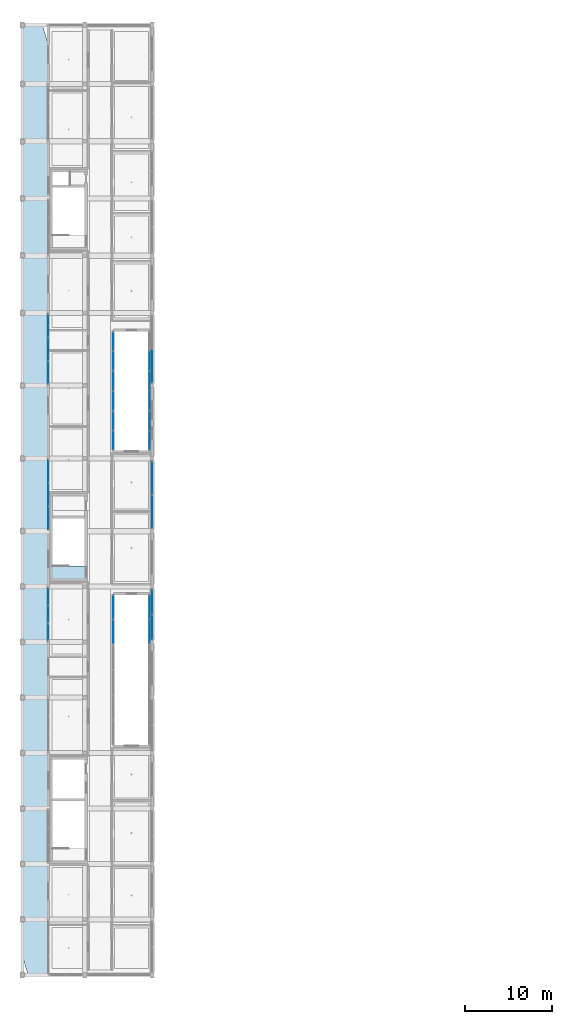
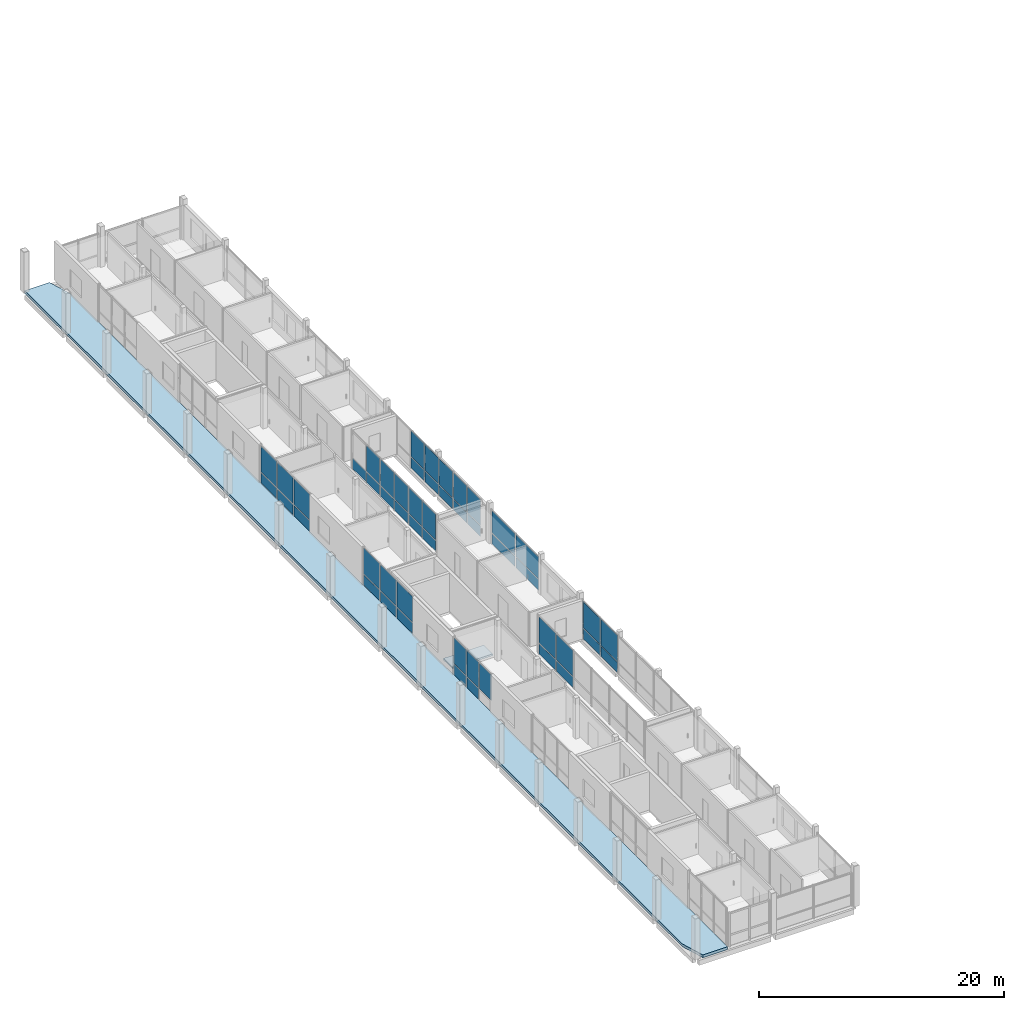
# One storey, part 8 of 24: 56 plates, 2 slabs, 14 elements without a shape of their own.
"""IFC4 building model written with IfcOpenShell, lengths in metres."""

from ifc_helpers import new_model, si_unit, derived_unit, direction, frame, origin, origin_2d, place, context, subcontext, project, spatial, polyline, rectangle, outline, extrude, material, layer, layer_set, type_object, element, aggregate, save


model = new_model("IFC4")

# Units and contexts
model_context = context("Model", 3, precision=1e-05, world=origin(), true_north=direction((0.0, 1.0)))
body_context = subcontext(model_context, "Body", "Model", "MODEL_VIEW")
ifc_project = project(units=[si_unit("LENGTHUNIT", "METRE"), si_unit("AREAUNIT", "SQUARE_METRE"), si_unit("VOLUMEUNIT", "CUBIC_METRE"), si_unit("PLANEANGLEUNIT", "RADIAN"), si_unit("MASSUNIT", "GRAM", prefix="KILO"), derived_unit("THERMALTRANSMITTANCEUNIT", [(si_unit("POWERUNIT", "WATT"), 1), (si_unit("LENGTHUNIT", "METRE"), -2), (si_unit("THERMODYNAMICTEMPERATUREUNIT", "KELVIN"), -1)])], contexts=[model_context])

# Site, building, storey
site_placement = place(None, origin())
site = spatial("IfcSite", under=ifc_project, at=site_placement, CompositionType="ELEMENT")
building_placement = place(site_placement, origin())
building = spatial("IfcBuilding", under=site, at=building_placement, Name="Braskholm Square Health Centre", CompositionType="ELEMENT")
storey_placement = place(building_placement, frame((0.0, 0.0, 21.60009765625)))
storey = spatial("IfcBuildingStorey", under=building, at=storey_placement, Name="L06", CompositionType="ELEMENT", Elevation=21.60009765625)

# Curtain wall, plates
ifc_material_1 = material(Name="Low-E triple insulating glass (VLT 0.64)", Category="glass")
curtain_wall_type_1 = type_object("IfcCurtainWallType", Name="UnitisedCurtainWall6200x3800", PredefinedType="NOTDEFINED", material=ifc_material_1)
curtain_wall_1_placement = place(storey_placement, origin())
curtain_wall_1 = element("IfcCurtainWall", 1, at=curtain_wall_1_placement, inside=storey, type_object=curtain_wall_type_1, Name="West Crown unitised curtain wall CW-L06-0041", PredefinedType="NOTDEFINED")
ifc_material_2 = material(Name="Architectural bronze anodised aluminium", Category="aluminium")
plate_type_1 = type_object("IfcPlateType", Name="CurtainPanelSpandrel1850x1020", PredefinedType="CURTAIN_PANEL", material=ifc_material_2)
plate_1_placement = place(storey_placement, frame((7.199951171875, 47.853271484375, 0.0498046875), z_axis=(0.0, 0.0, 1.0), x_axis=(0.0, -1.0, 0.0)))
plate_1 = element("IfcPlate", 2, at=plate_1_placement, type_object=plate_type_1, Name="CW-L06-0041 spandrel panel 1", PredefinedType="CURTAIN_PANEL", context=body_context, shape_type="SweptSolid", body=[
    extrude(rectangle(XDim=1.93017578125, YDim=0.035888671875, at=origin_2d()), origin(), (0.0, 0.0, 1.0), 1.02001953125),
])
plate_2_placement = place(storey_placement, frame((7.199951171875, 45.800048828125, 0.0498046875), z_axis=(0.0, 0.0, 1.0), x_axis=(0.0, -1.0, 0.0)))
plate_2 = element("IfcPlate", 3, at=plate_2_placement, type_object=plate_type_1, Name="CW-L06-0041 spandrel panel 2", PredefinedType="CURTAIN_PANEL", context=body_context, shape_type="SweptSolid", body=[
    extrude(rectangle(XDim=1.93017578125, YDim=0.035888671875, at=origin_2d()), origin(), (0.0, 0.0, 1.0), 1.02001953125),
])

curtain_wall_type_2 = type_object("IfcCurtainWallType", Name="UnitisedCurtainWall4800x3800", PredefinedType="NOTDEFINED", material=ifc_material_1)
curtain_wall_2_placement = place(storey_placement, origin())
curtain_wall_2 = element("IfcCurtainWall", 4, at=curtain_wall_2_placement, inside=storey, type_object=curtain_wall_type_2, Name="WC2 Court W unitised curtain wall CW-L06-0315", PredefinedType="NOTDEFINED")
plate_type_2 = type_object("IfcPlateType", Name="CurtainPanelSpandrel2150x1020", PredefinedType="CURTAIN_PANEL", material=ifc_material_2)
plate_3_placement = place(storey_placement, frame((14.699951171875, 65.884033203125, 0.0498046875), z_axis=(0.0, 0.0, 1.0), x_axis=(0.0, 1.0, 0.0)))
plate_3 = element("IfcPlate", 5, at=plate_3_placement, type_object=plate_type_2, Name="CW-L06-0315 spandrel panel 1", PredefinedType="CURTAIN_PANEL", context=body_context, shape_type="SweptSolid", body=[
    extrude(rectangle(XDim=2.125244140625, YDim=0.035888671875, at=origin_2d()), origin(), (0.0, 0.0, 1.0), 1.02001953125),
])
plate_4_placement = place(storey_placement, frame((14.699951171875, 68.117919921875, 0.0498046875), z_axis=(0.0, 0.0, 1.0), x_axis=(0.0, 1.0, 0.0)))
plate_4 = element("IfcPlate", 6, at=plate_4_placement, type_object=plate_type_2, Name="CW-L06-0315 spandrel panel 2", PredefinedType="CURTAIN_PANEL", context=body_context, shape_type="SweptSolid", body=[
    extrude(rectangle(XDim=2.125244140625, YDim=0.035888671875, at=origin_2d()), origin(), (0.0, 0.0, 1.0), 1.02001953125),
])

curtain_wall_3_placement = place(storey_placement, origin())
curtain_wall_3 = element("IfcCurtainWall", 7, at=curtain_wall_3_placement, inside=storey, type_object=curtain_wall_type_2, Name="WC2 Court E unitised curtain wall CW-L06-0316", PredefinedType="NOTDEFINED")
plate_5_placement = place(storey_placement, frame((18.89990234375, 68.117919921875, 0.0498046875), z_axis=(0.0, 0.0, 1.0), x_axis=(0.0, -1.0, 0.0)))
plate_5 = element("IfcPlate", 8, at=plate_5_placement, type_object=plate_type_2, Name="CW-L06-0316 spandrel panel 1", PredefinedType="CURTAIN_PANEL", context=body_context, shape_type="SweptSolid", body=[
    extrude(rectangle(XDim=2.125244140625, YDim=0.035888671875, at=origin_2d()), origin(), (0.0, 0.0, 1.0), 1.02001953125),
])
plate_6_placement = place(storey_placement, frame((18.89990234375, 65.884033203125, 0.0498046875), z_axis=(0.0, 0.0, 1.0), x_axis=(0.0, -1.0, 0.0)))
plate_6 = element("IfcPlate", 9, at=plate_6_placement, type_object=plate_type_2, Name="CW-L06-0316 spandrel panel 2", PredefinedType="CURTAIN_PANEL", context=body_context, shape_type="SweptSolid", body=[
    extrude(rectangle(XDim=2.125244140625, YDim=0.035888671875, at=origin_2d()), origin(), (0.0, 0.0, 1.0), 1.02001953125),
])

curtain_wall_4_placement = place(storey_placement, origin())
curtain_wall_4 = element("IfcCurtainWall", 10, at=curtain_wall_4_placement, inside=storey, type_object=curtain_wall_type_2, Name="WC2 Court W unitised curtain wall CW-L06-0317", PredefinedType="NOTDEFINED")
plate_7_placement = place(storey_placement, frame((14.699951171875, 70.449951171875, 0.0498046875), z_axis=(0.0, 0.0, 1.0), x_axis=(0.0, 1.0, 0.0)))
plate_7 = element("IfcPlate", 11, at=plate_7_placement, type_object=plate_type_2, Name="CW-L06-0317 spandrel panel 1", PredefinedType="CURTAIN_PANEL", context=body_context, shape_type="SweptSolid", body=[
    extrude(rectangle(XDim=2.188232421875, YDim=0.035888671875, at=origin_2d()), origin(), (0.0, 0.0, 1.0), 1.02001953125),
])
plate_8_placement = place(storey_placement, frame((14.699951171875, 72.75, 0.0498046875), z_axis=(0.0, 0.0, 1.0), x_axis=(0.0, 1.0, 0.0)))
plate_8 = element("IfcPlate", 12, at=plate_8_placement, type_object=plate_type_2, Name="CW-L06-0317 spandrel panel 2", PredefinedType="CURTAIN_PANEL", context=body_context, shape_type="SweptSolid", body=[
    extrude(rectangle(XDim=2.188232421875, YDim=0.035888671875, at=origin_2d()), origin(), (0.0, 0.0, 1.0), 1.02001953125),
])

curtain_wall_5_placement = place(storey_placement, origin())
curtain_wall_5 = element("IfcCurtainWall", 13, at=curtain_wall_5_placement, inside=storey, type_object=curtain_wall_type_2, Name="WC2 Court E unitised curtain wall CW-L06-0318", PredefinedType="NOTDEFINED")
plate_9_placement = place(storey_placement, frame((18.89990234375, 72.75, 0.0498046875), z_axis=(0.0, 0.0, 1.0), x_axis=(0.0, -1.0, 0.0)))
plate_9 = element("IfcPlate", 14, at=plate_9_placement, type_object=plate_type_2, Name="CW-L06-0318 spandrel panel 1", PredefinedType="CURTAIN_PANEL", context=body_context, shape_type="SweptSolid", body=[
    extrude(rectangle(XDim=2.188232421875, YDim=0.035888671875, at=origin_2d()), origin(), (0.0, 0.0, 1.0), 1.02001953125),
])
plate_10_placement = place(storey_placement, frame((18.89990234375, 70.449951171875, 0.0498046875), z_axis=(0.0, 0.0, 1.0), x_axis=(0.0, -1.0, 0.0)))
plate_10 = element("IfcPlate", 15, at=plate_10_placement, type_object=plate_type_2, Name="CW-L06-0318 spandrel panel 2", PredefinedType="CURTAIN_PANEL", context=body_context, shape_type="SweptSolid", body=[
    extrude(rectangle(XDim=2.188232421875, YDim=0.035888671875, at=origin_2d()), origin(), (0.0, 0.0, 1.0), 1.02001953125),
])

curtain_wall_6_placement = place(storey_placement, origin())
curtain_wall_6 = element("IfcCurtainWall", 16, at=curtain_wall_6_placement, inside=storey, type_object=curtain_wall_type_2, Name="WC2 Court W unitised curtain wall CW-L06-0319", PredefinedType="NOTDEFINED")
plate_11_placement = place(storey_placement, frame((14.699951171875, 75.08203125, 0.0498046875), z_axis=(0.0, 0.0, 1.0), x_axis=(0.0, 1.0, 0.0)))
plate_11 = element("IfcPlate", 17, at=plate_11_placement, type_object=plate_type_2, Name="CW-L06-0319 spandrel panel 1", PredefinedType="CURTAIN_PANEL", context=body_context, shape_type="SweptSolid", body=[
    extrude(rectangle(XDim=2.125244140625, YDim=0.035888671875, at=origin_2d()), origin(), (0.0, 0.0, 1.0), 1.02001953125),
])
plate_12_placement = place(storey_placement, frame((14.699951171875, 77.31591796875, 0.0498046875), z_axis=(0.0, 0.0, 1.0), x_axis=(0.0, 1.0, 0.0)))
plate_12 = element("IfcPlate", 18, at=plate_12_placement, type_object=plate_type_2, Name="CW-L06-0319 spandrel panel 2", PredefinedType="CURTAIN_PANEL", context=body_context, shape_type="SweptSolid", body=[
    extrude(rectangle(XDim=2.125244140625, YDim=0.035888671875, at=origin_2d()), origin(), (0.0, 0.0, 1.0), 1.02001953125),
])

# Curtain wall, plate
curtain_wall_7_placement = place(storey_placement, origin())
curtain_wall_7 = element("IfcCurtainWall", 19, at=curtain_wall_7_placement, inside=storey, type_object=curtain_wall_type_2, Name="WC2 Court E unitised curtain wall CW-L06-0320", PredefinedType="NOTDEFINED")
plate_13_placement = place(storey_placement, frame((18.89990234375, 75.08203125, 0.0498046875), z_axis=(0.0, 0.0, 1.0), x_axis=(0.0, -1.0, 0.0)))
plate_13 = element("IfcPlate", 20, at=plate_13_placement, type_object=plate_type_2, Name="CW-L06-0320 spandrel panel 2", PredefinedType="CURTAIN_PANEL", context=body_context, shape_type="SweptSolid", body=[
    extrude(rectangle(XDim=2.125244140625, YDim=0.035888671875, at=origin_2d()), origin(), (0.0, 0.0, 1.0), 1.02001953125),
])

# Curtain wall, plates
curtain_wall_8_placement = place(storey_placement, origin())
curtain_wall_8 = element("IfcCurtainWall", 21, at=curtain_wall_8_placement, inside=storey, type_object=curtain_wall_type_1, Name="West Crown unitised curtain wall CW-L06-0042", PredefinedType="NOTDEFINED")
plate_type_3 = type_object("IfcPlateType", Name="CurtainPanelSpandrel2750x1020", PredefinedType="CURTAIN_PANEL", material=ifc_material_2)
plate_14_placement = place(storey_placement, frame((7.199951171875, 62.320068359375, 0.0498046875), z_axis=(0.0, 0.0, 1.0), x_axis=(0.0, -1.0, 0.0)))
plate_14 = element("IfcPlate", 22, at=plate_14_placement, type_object=plate_type_3, Name="CW-L06-0042 spandrel panel 1", PredefinedType="CURTAIN_PANEL", context=body_context, shape_type="SweptSolid", body=[
    extrude(rectangle(XDim=2.556884765625, YDim=0.035888671875, at=origin_2d()), origin(), (0.0, 0.0, 1.0), 1.02001953125),
])
plate_15_placement = place(storey_placement, frame((7.199951171875, 59.60009765625, 0.0498046875), z_axis=(0.0, 0.0, 1.0), x_axis=(0.0, -1.0, 0.0)))
plate_15 = element("IfcPlate", 23, at=plate_15_placement, type_object=plate_type_3, Name="CW-L06-0042 spandrel panel 2", PredefinedType="CURTAIN_PANEL", context=body_context, shape_type="SweptSolid", body=[
    extrude(rectangle(XDim=2.556884765625, YDim=0.035888671875, at=origin_2d()), origin(), (0.0, 0.0, 1.0), 1.02001953125),
])
plate_16_placement = place(storey_placement, frame((7.199951171875, 56.8798828125, 0.0498046875), z_axis=(0.0, 0.0, 1.0), x_axis=(0.0, -1.0, 0.0)))
plate_16 = element("IfcPlate", 24, at=plate_16_placement, type_object=plate_type_3, Name="CW-L06-0042 spandrel panel 3", PredefinedType="CURTAIN_PANEL", context=body_context, shape_type="SweptSolid", body=[
    extrude(rectangle(XDim=2.556884765625, YDim=0.035888671875, at=origin_2d()), origin(), (0.0, 0.0, 1.0), 1.02001953125),
])

curtain_wall_9_placement = place(storey_placement, origin())
curtain_wall_9 = element("IfcCurtainWall", 25, at=curtain_wall_9_placement, inside=storey, type_object=curtain_wall_type_1, Name="West Crown unitised curtain wall CW-L06-0043", PredefinedType="NOTDEFINED")
plate_17_placement = place(storey_placement, frame((7.199951171875, 79.1201171875, 0.0498046875), z_axis=(0.0, 0.0, 1.0), x_axis=(0.0, -1.0, 0.0)))
plate_17 = element("IfcPlate", 26, at=plate_17_placement, type_object=plate_type_3, Name="CW-L06-0043 spandrel panel 1", PredefinedType="CURTAIN_PANEL", context=body_context, shape_type="SweptSolid", body=[
    extrude(rectangle(XDim=2.556884765625, YDim=0.035888671875, at=origin_2d()), origin(), (0.0, 0.0, 1.0), 1.02001953125),
])
plate_18_placement = place(storey_placement, frame((7.199951171875, 76.39990234375, 0.0498046875), z_axis=(0.0, 0.0, 1.0), x_axis=(0.0, -1.0, 0.0)))
plate_18 = element("IfcPlate", 27, at=plate_18_placement, type_object=plate_type_3, Name="CW-L06-0043 spandrel panel 2", PredefinedType="CURTAIN_PANEL", context=body_context, shape_type="SweptSolid", body=[
    extrude(rectangle(XDim=2.556884765625, YDim=0.035888671875, at=origin_2d()), origin(), (0.0, 0.0, 1.0), 1.02001953125),
])
plate_19_placement = place(storey_placement, frame((7.199951171875, 73.679931640625, 0.0498046875), z_axis=(0.0, 0.0, 1.0), x_axis=(0.0, -1.0, 0.0)))
plate_19 = element("IfcPlate", 28, at=plate_19_placement, type_object=plate_type_3, Name="CW-L06-0043 spandrel panel 3", PredefinedType="CURTAIN_PANEL", context=body_context, shape_type="SweptSolid", body=[
    extrude(rectangle(XDim=2.556884765625, YDim=0.035888671875, at=origin_2d()), origin(), (0.0, 0.0, 1.0), 1.02001953125),
])

curtain_wall_type_3 = type_object("IfcCurtainWallType", Name="UnitisedCurtainWall6200x3650", PredefinedType="NOTDEFINED", material=ifc_material_1)
curtain_wall_10_placement = place(storey_placement, origin())
curtain_wall_10 = element("IfcCurtainWall", 29, at=curtain_wall_10_placement, inside=storey, type_object=curtain_wall_type_3, Name="West Valley unitised curtain wall CW-L06-0112", PredefinedType="NOTDEFINED")
plate_20_placement = place(storey_placement, frame((19.199951171875, 44.337890625, 0.0498046875), z_axis=(0.0, 0.0, 1.0), x_axis=(0.0, 1.0, 0.0)))
plate_20 = element("IfcPlate", 30, at=plate_20_placement, type_object=plate_type_3, Name="CW-L06-0112 spandrel panel 1", PredefinedType="CURTAIN_PANEL", context=body_context, shape_type="SweptSolid", body=[
    extrude(rectangle(XDim=2.782470703125, YDim=0.035888671875, at=origin_2d()), origin(), (0.0, 0.0, 1.0), 1.02001953125),
])
plate_21_placement = place(storey_placement, frame((19.199951171875, 47.26220703125, 0.0498046875), z_axis=(0.0, 0.0, 1.0), x_axis=(0.0, 1.0, 0.0)))
plate_21 = element("IfcPlate", 31, at=plate_21_placement, type_object=plate_type_3, Name="CW-L06-0112 spandrel panel 2", PredefinedType="CURTAIN_PANEL", context=body_context, shape_type="SweptSolid", body=[
    extrude(rectangle(XDim=2.782470703125, YDim=0.035888671875, at=origin_2d()), origin(), (0.0, 0.0, 1.0), 1.02001953125),
])

curtain_wall_type_4 = type_object("IfcCurtainWallType", Name="UnitisedCurtainWall5400x3800", PredefinedType="NOTDEFINED", material=ifc_material_1)
curtain_wall_11_placement = place(storey_placement, origin())
curtain_wall_11 = element("IfcCurtainWall", 32, at=curtain_wall_11_placement, inside=storey, type_object=curtain_wall_type_4, Name="WC1 Court W unitised curtain wall CW-L06-0283", PredefinedType="NOTDEFINED")
plate_22_placement = place(storey_placement, frame((14.699951171875, 43.78564453125, 0.0498046875), z_axis=(0.0, 0.0, 1.0), x_axis=(0.0, 1.0, 0.0)))
plate_22 = element("IfcPlate", 33, at=plate_22_placement, type_object=plate_type_3, Name="CW-L06-0283 spandrel panel 1", PredefinedType="CURTAIN_PANEL", context=body_context, shape_type="SweptSolid", body=[
    extrude(rectangle(XDim=2.689208984375, YDim=0.035888671875, at=origin_2d()), origin(), (0.0, 0.0, 1.0), 1.02001953125),
])
plate_23_placement = place(storey_placement, frame((14.699951171875, 46.6123046875, 0.0498046875), z_axis=(0.0, 0.0, 1.0), x_axis=(0.0, 1.0, 0.0)))
plate_23 = element("IfcPlate", 34, at=plate_23_placement, type_object=plate_type_3, Name="CW-L06-0283 spandrel panel 2", PredefinedType="CURTAIN_PANEL", context=body_context, shape_type="SweptSolid", body=[
    extrude(rectangle(XDim=2.689208984375, YDim=0.035888671875, at=origin_2d()), origin(), (0.0, 0.0, 1.0), 1.02001953125),
])

curtain_wall_12_placement = place(storey_placement, origin())
curtain_wall_12 = element("IfcCurtainWall", 35, at=curtain_wall_12_placement, inside=storey, type_object=curtain_wall_type_4, Name="WC1 Court E unitised curtain wall CW-L06-0284", PredefinedType="NOTDEFINED")
plate_24_placement = place(storey_placement, frame((18.89990234375, 46.6123046875, 0.0498046875), z_axis=(0.0, 0.0, 1.0), x_axis=(0.0, -1.0, 0.0)))
plate_24 = element("IfcPlate", 36, at=plate_24_placement, type_object=plate_type_3, Name="CW-L06-0284 spandrel panel 1", PredefinedType="CURTAIN_PANEL", context=body_context, shape_type="SweptSolid", body=[
    extrude(rectangle(XDim=2.689208984375, YDim=0.035888671875, at=origin_2d()), origin(), (0.0, 0.0, 1.0), 1.02001953125),
])
plate_25_placement = place(storey_placement, frame((18.89990234375, 43.78564453125, 0.0498046875), z_axis=(0.0, 0.0, 1.0), x_axis=(0.0, -1.0, 0.0)))
plate_25 = element("IfcPlate", 37, at=plate_25_placement, type_object=plate_type_3, Name="CW-L06-0284 spandrel panel 2", PredefinedType="CURTAIN_PANEL", context=body_context, shape_type="SweptSolid", body=[
    extrude(rectangle(XDim=2.689208984375, YDim=0.035888671875, at=origin_2d()), origin(), (0.0, 0.0, 1.0), 1.02001953125),
])

curtain_wall_13_placement = place(storey_placement, origin())
curtain_wall_13 = element("IfcCurtainWall", 38, at=curtain_wall_13_placement, inside=storey, type_object=curtain_wall_type_3, Name="West Valley unitised curtain wall CW-L06-0113", PredefinedType="NOTDEFINED")
plate_type_4 = type_object("IfcPlateType", Name="CurtainPanelSpandrel3150x1020", PredefinedType="CURTAIN_PANEL", material=ifc_material_2)
plate_26_placement = place(storey_placement, frame((19.199951171875, 57.643798828125, 0.0498046875), z_axis=(0.0, 0.0, 1.0), x_axis=(0.0, 1.0, 0.0)))
plate_26 = element("IfcPlate", 39, at=plate_26_placement, type_object=plate_type_4, Name="CW-L06-0113 spandrel panel 1", PredefinedType="CURTAIN_PANEL", context=body_context, shape_type="SweptSolid", body=[
    extrude(rectangle(XDim=3.722412109375, YDim=0.035888671875, at=origin_2d()), origin(), (0.0, 0.0, 1.0), 1.02001953125),
])
plate_27_placement = place(storey_placement, frame((19.199951171875, 61.55615234375, 0.0498046875), z_axis=(0.0, 0.0, 1.0), x_axis=(0.0, 1.0, 0.0)))
plate_27 = element("IfcPlate", 40, at=plate_27_placement, type_object=plate_type_4, Name="CW-L06-0113 spandrel panel 2", PredefinedType="CURTAIN_PANEL", context=body_context, shape_type="SweptSolid", body=[
    extrude(rectangle(XDim=3.722412109375, YDim=0.035888671875, at=origin_2d()), origin(), (0.0, 0.0, 1.0), 1.02001953125),
])

# Curtain wall, plate
curtain_wall_14_placement = place(storey_placement, origin())
curtain_wall_14 = element("IfcCurtainWall", 41, at=curtain_wall_14_placement, inside=storey, type_object=curtain_wall_type_3, Name="West Valley unitised curtain wall CW-L06-0114", PredefinedType="NOTDEFINED")
plate_28_placement = place(storey_placement, frame((19.199951171875, 74.44384765625, 0.0498046875), z_axis=(0.0, 0.0, 1.0), x_axis=(0.0, 1.0, 0.0)))
plate_28 = element("IfcPlate", 42, at=plate_28_placement, type_object=plate_type_4, Name="CW-L06-0114 spandrel panel 1", PredefinedType="CURTAIN_PANEL", context=body_context, shape_type="SweptSolid", body=[
    extrude(rectangle(XDim=3.722412109375, YDim=0.035888671875, at=origin_2d()), origin(), (0.0, 0.0, 1.0), 1.02001953125),
])

# Plate
plate_type_5 = type_object("IfcPlateType", Name="CurtainPanelVision1850x2520", PredefinedType="CURTAIN_PANEL", material=ifc_material_1)
plate_29_placement = place(storey_placement, frame((7.199951171875, 47.853271484375, 1.169921875), z_axis=(0.0, 0.0, 1.0), x_axis=(0.0, -1.0, 0.0)))
plate_29 = element("IfcPlate", 43, at=plate_29_placement, type_object=plate_type_5, Name="CW-L06-0041 vision glass panel 1", PredefinedType="CURTAIN_PANEL", context=body_context, shape_type="SweptSolid", body=[
    extrude(rectangle(XDim=1.93017578125, YDim=0.035888671875, at=origin_2d()), origin(), (0.0, 0.0, 1.0), 2.56005859375),
])

plate_30_placement = place(storey_placement, frame((7.199951171875, 45.800048828125, 1.169921875), z_axis=(0.0, 0.0, 1.0), x_axis=(0.0, -1.0, 0.0)))
plate_30 = element("IfcPlate", 44, at=plate_30_placement, type_object=plate_type_5, Name="CW-L06-0041 vision glass panel 2", PredefinedType="CURTAIN_PANEL", context=body_context, shape_type="SweptSolid", body=[
    extrude(rectangle(XDim=1.93017578125, YDim=0.035888671875, at=origin_2d()), origin(), (0.0, 0.0, 1.0), 2.56005859375),
])

plate_31_placement = place(storey_placement, frame((7.199951171875, 43.74658203125, 1.169921875), z_axis=(0.0, 0.0, 1.0), x_axis=(0.0, -1.0, 0.0)))
plate_31 = element("IfcPlate", 45, at=plate_31_placement, type_object=plate_type_5, Name="CW-L06-0041 vision glass panel 3", PredefinedType="CURTAIN_PANEL", context=body_context, shape_type="SweptSolid", body=[
    extrude(rectangle(XDim=1.93017578125, YDim=0.035888671875, at=origin_2d()), origin(), (0.0, 0.0, 1.0), 2.56005859375),
])

aggregate(curtain_wall_1, [plate_1, plate_29, plate_2, plate_30, plate_31])

plate_type_6 = type_object("IfcPlateType", Name="CurtainPanelVision2150x2520", PredefinedType="CURTAIN_PANEL", material=ifc_material_1)
plate_32_placement = place(storey_placement, frame((14.699951171875, 65.884033203125, 1.169921875), z_axis=(0.0, 0.0, 1.0), x_axis=(0.0, 1.0, 0.0)))
plate_32 = element("IfcPlate", 46, at=plate_32_placement, type_object=plate_type_6, Name="CW-L06-0315 vision glass panel 1", PredefinedType="CURTAIN_PANEL", context=body_context, shape_type="SweptSolid", body=[
    extrude(rectangle(XDim=2.125244140625, YDim=0.035888671875, at=origin_2d()), origin(), (0.0, 0.0, 1.0), 2.56005859375),
])

plate_33_placement = place(storey_placement, frame((14.699951171875, 68.117919921875, 1.169921875), z_axis=(0.0, 0.0, 1.0), x_axis=(0.0, 1.0, 0.0)))
plate_33 = element("IfcPlate", 47, at=plate_33_placement, type_object=plate_type_6, Name="CW-L06-0315 vision glass panel 2", PredefinedType="CURTAIN_PANEL", context=body_context, shape_type="SweptSolid", body=[
    extrude(rectangle(XDim=2.125244140625, YDim=0.035888671875, at=origin_2d()), origin(), (0.0, 0.0, 1.0), 2.56005859375),
])

aggregate(curtain_wall_2, [plate_3, plate_32, plate_4, plate_33])

plate_34_placement = place(storey_placement, frame((18.89990234375, 68.117919921875, 1.169921875), z_axis=(0.0, 0.0, 1.0), x_axis=(0.0, -1.0, 0.0)))
plate_34 = element("IfcPlate", 48, at=plate_34_placement, type_object=plate_type_6, Name="CW-L06-0316 vision glass panel 1", PredefinedType="CURTAIN_PANEL", context=body_context, shape_type="SweptSolid", body=[
    extrude(rectangle(XDim=2.125244140625, YDim=0.035888671875, at=origin_2d()), origin(), (0.0, 0.0, 1.0), 2.56005859375),
])

plate_35_placement = place(storey_placement, frame((18.89990234375, 65.884033203125, 1.169921875), z_axis=(0.0, 0.0, 1.0), x_axis=(0.0, -1.0, 0.0)))
plate_35 = element("IfcPlate", 49, at=plate_35_placement, type_object=plate_type_6, Name="CW-L06-0316 vision glass panel 2", PredefinedType="CURTAIN_PANEL", context=body_context, shape_type="SweptSolid", body=[
    extrude(rectangle(XDim=2.125244140625, YDim=0.035888671875, at=origin_2d()), origin(), (0.0, 0.0, 1.0), 2.56005859375),
])

aggregate(curtain_wall_3, [plate_5, plate_34, plate_6, plate_35])

plate_36_placement = place(storey_placement, frame((14.699951171875, 70.449951171875, 1.169921875), z_axis=(0.0, 0.0, 1.0), x_axis=(0.0, 1.0, 0.0)))
plate_36 = element("IfcPlate", 50, at=plate_36_placement, type_object=plate_type_6, Name="CW-L06-0317 vision glass panel 1", PredefinedType="CURTAIN_PANEL", context=body_context, shape_type="SweptSolid", body=[
    extrude(rectangle(XDim=2.188232421875, YDim=0.035888671875, at=origin_2d()), origin(), (0.0, 0.0, 1.0), 2.56005859375),
])

plate_37_placement = place(storey_placement, frame((14.699951171875, 72.75, 1.169921875), z_axis=(0.0, 0.0, 1.0), x_axis=(0.0, 1.0, 0.0)))
plate_37 = element("IfcPlate", 51, at=plate_37_placement, type_object=plate_type_6, Name="CW-L06-0317 vision glass panel 2", PredefinedType="CURTAIN_PANEL", context=body_context, shape_type="SweptSolid", body=[
    extrude(rectangle(XDim=2.188232421875, YDim=0.035888671875, at=origin_2d()), origin(), (0.0, 0.0, 1.0), 2.56005859375),
])

aggregate(curtain_wall_4, [plate_7, plate_36, plate_8, plate_37])

plate_38_placement = place(storey_placement, frame((18.89990234375, 72.75, 1.169921875), z_axis=(0.0, 0.0, 1.0), x_axis=(0.0, -1.0, 0.0)))
plate_38 = element("IfcPlate", 52, at=plate_38_placement, type_object=plate_type_6, Name="CW-L06-0318 vision glass panel 1", PredefinedType="CURTAIN_PANEL", context=body_context, shape_type="SweptSolid", body=[
    extrude(rectangle(XDim=2.188232421875, YDim=0.035888671875, at=origin_2d()), origin(), (0.0, 0.0, 1.0), 2.56005859375),
])

plate_39_placement = place(storey_placement, frame((18.89990234375, 70.449951171875, 1.169921875), z_axis=(0.0, 0.0, 1.0), x_axis=(0.0, -1.0, 0.0)))
plate_39 = element("IfcPlate", 53, at=plate_39_placement, type_object=plate_type_6, Name="CW-L06-0318 vision glass panel 2", PredefinedType="CURTAIN_PANEL", context=body_context, shape_type="SweptSolid", body=[
    extrude(rectangle(XDim=2.188232421875, YDim=0.035888671875, at=origin_2d()), origin(), (0.0, 0.0, 1.0), 2.56005859375),
])

aggregate(curtain_wall_5, [plate_9, plate_38, plate_10, plate_39])

plate_40_placement = place(storey_placement, frame((14.699951171875, 75.08203125, 1.169921875), z_axis=(0.0, 0.0, 1.0), x_axis=(0.0, 1.0, 0.0)))
plate_40 = element("IfcPlate", 54, at=plate_40_placement, type_object=plate_type_6, Name="CW-L06-0319 vision glass panel 1", PredefinedType="CURTAIN_PANEL", context=body_context, shape_type="SweptSolid", body=[
    extrude(rectangle(XDim=2.125244140625, YDim=0.035888671875, at=origin_2d()), origin(), (0.0, 0.0, 1.0), 2.56005859375),
])

aggregate(curtain_wall_6, [plate_11, plate_40, plate_12])

plate_41_placement = place(storey_placement, frame((18.89990234375, 75.08203125, 1.169921875), z_axis=(0.0, 0.0, 1.0), x_axis=(0.0, -1.0, 0.0)))
plate_41 = element("IfcPlate", 55, at=plate_41_placement, type_object=plate_type_6, Name="CW-L06-0320 vision glass panel 2", PredefinedType="CURTAIN_PANEL", context=body_context, shape_type="SweptSolid", body=[
    extrude(rectangle(XDim=2.125244140625, YDim=0.035888671875, at=origin_2d()), origin(), (0.0, 0.0, 1.0), 2.56005859375),
])

aggregate(curtain_wall_7, [plate_13, plate_41])

plate_type_7 = type_object("IfcPlateType", Name="CurtainPanelVision2750x2120", PredefinedType="CURTAIN_PANEL", material=ifc_material_1)
plate_42_placement = place(storey_placement, frame((19.199951171875, 44.337890625, 1.169921875), z_axis=(0.0, 0.0, 1.0), x_axis=(0.0, 1.0, 0.0)))
plate_42 = element("IfcPlate", 56, at=plate_42_placement, type_object=plate_type_7, Name="CW-L06-0112 vision glass panel 1", PredefinedType="CURTAIN_PANEL", context=body_context, shape_type="SweptSolid", body=[
    extrude(rectangle(XDim=2.782470703125, YDim=0.035888671875, at=origin_2d()), origin(), (0.0, 0.0, 1.0), 2.179931640625),
])

plate_43_placement = place(storey_placement, frame((19.199951171875, 47.26220703125, 1.169921875), z_axis=(0.0, 0.0, 1.0), x_axis=(0.0, 1.0, 0.0)))
plate_43 = element("IfcPlate", 57, at=plate_43_placement, type_object=plate_type_7, Name="CW-L06-0112 vision glass panel 2", PredefinedType="CURTAIN_PANEL", context=body_context, shape_type="SweptSolid", body=[
    extrude(rectangle(XDim=2.782470703125, YDim=0.035888671875, at=origin_2d()), origin(), (0.0, 0.0, 1.0), 2.179931640625),
])

aggregate(curtain_wall_10, [plate_20, plate_42, plate_21, plate_43])

plate_type_8 = type_object("IfcPlateType", Name="CurtainPanelVision2750x2520", PredefinedType="CURTAIN_PANEL", material=ifc_material_1)
plate_44_placement = place(storey_placement, frame((7.199951171875, 62.320068359375, 1.169921875), z_axis=(0.0, 0.0, 1.0), x_axis=(0.0, -1.0, 0.0)))
plate_44 = element("IfcPlate", 58, at=plate_44_placement, type_object=plate_type_8, Name="CW-L06-0042 vision glass panel 1", PredefinedType="CURTAIN_PANEL", context=body_context, shape_type="SweptSolid", body=[
    extrude(rectangle(XDim=2.556884765625, YDim=0.035888671875, at=origin_2d()), origin(), (0.0, 0.0, 1.0), 2.56005859375),
])

plate_45_placement = place(storey_placement, frame((7.199951171875, 59.60009765625, 1.169921875), z_axis=(0.0, 0.0, 1.0), x_axis=(0.0, -1.0, 0.0)))
plate_45 = element("IfcPlate", 59, at=plate_45_placement, type_object=plate_type_8, Name="CW-L06-0042 vision glass panel 2", PredefinedType="CURTAIN_PANEL", context=body_context, shape_type="SweptSolid", body=[
    extrude(rectangle(XDim=2.556884765625, YDim=0.035888671875, at=origin_2d()), origin(), (0.0, 0.0, 1.0), 2.56005859375),
])

plate_46_placement = place(storey_placement, frame((7.199951171875, 56.8798828125, 1.169921875), z_axis=(0.0, 0.0, 1.0), x_axis=(0.0, -1.0, 0.0)))
plate_46 = element("IfcPlate", 60, at=plate_46_placement, type_object=plate_type_8, Name="CW-L06-0042 vision glass panel 3", PredefinedType="CURTAIN_PANEL", context=body_context, shape_type="SweptSolid", body=[
    extrude(rectangle(XDim=2.556884765625, YDim=0.035888671875, at=origin_2d()), origin(), (0.0, 0.0, 1.0), 2.56005859375),
])

aggregate(curtain_wall_8, [plate_14, plate_44, plate_15, plate_45, plate_16, plate_46])

plate_47_placement = place(storey_placement, frame((7.199951171875, 79.1201171875, 1.169921875), z_axis=(0.0, 0.0, 1.0), x_axis=(0.0, -1.0, 0.0)))
plate_47 = element("IfcPlate", 61, at=plate_47_placement, type_object=plate_type_8, Name="CW-L06-0043 vision glass panel 1", PredefinedType="CURTAIN_PANEL", context=body_context, shape_type="SweptSolid", body=[
    extrude(rectangle(XDim=2.556884765625, YDim=0.035888671875, at=origin_2d()), origin(), (0.0, 0.0, 1.0), 2.56005859375),
])

plate_48_placement = place(storey_placement, frame((7.199951171875, 76.39990234375, 1.169921875), z_axis=(0.0, 0.0, 1.0), x_axis=(0.0, -1.0, 0.0)))
plate_48 = element("IfcPlate", 62, at=plate_48_placement, type_object=plate_type_8, Name="CW-L06-0043 vision glass panel 2", PredefinedType="CURTAIN_PANEL", context=body_context, shape_type="SweptSolid", body=[
    extrude(rectangle(XDim=2.556884765625, YDim=0.035888671875, at=origin_2d()), origin(), (0.0, 0.0, 1.0), 2.56005859375),
])

plate_49_placement = place(storey_placement, frame((7.199951171875, 73.679931640625, 1.169921875), z_axis=(0.0, 0.0, 1.0), x_axis=(0.0, -1.0, 0.0)))
plate_49 = element("IfcPlate", 63, at=plate_49_placement, type_object=plate_type_8, Name="CW-L06-0043 vision glass panel 3", PredefinedType="CURTAIN_PANEL", context=body_context, shape_type="SweptSolid", body=[
    extrude(rectangle(XDim=2.556884765625, YDim=0.035888671875, at=origin_2d()), origin(), (0.0, 0.0, 1.0), 2.56005859375),
])

aggregate(curtain_wall_9, [plate_17, plate_47, plate_18, plate_48, plate_19, plate_49])

plate_50_placement = place(storey_placement, frame((14.699951171875, 43.78564453125, 1.169921875), z_axis=(0.0, 0.0, 1.0), x_axis=(0.0, 1.0, 0.0)))
plate_50 = element("IfcPlate", 64, at=plate_50_placement, type_object=plate_type_8, Name="CW-L06-0283 vision glass panel 1", PredefinedType="CURTAIN_PANEL", context=body_context, shape_type="SweptSolid", body=[
    extrude(rectangle(XDim=2.689208984375, YDim=0.035888671875, at=origin_2d()), origin(), (0.0, 0.0, 1.0), 2.56005859375),
])

plate_51_placement = place(storey_placement, frame((14.699951171875, 46.6123046875, 1.169921875), z_axis=(0.0, 0.0, 1.0), x_axis=(0.0, 1.0, 0.0)))
plate_51 = element("IfcPlate", 65, at=plate_51_placement, type_object=plate_type_8, Name="CW-L06-0283 vision glass panel 2", PredefinedType="CURTAIN_PANEL", context=body_context, shape_type="SweptSolid", body=[
    extrude(rectangle(XDim=2.689208984375, YDim=0.035888671875, at=origin_2d()), origin(), (0.0, 0.0, 1.0), 2.56005859375),
])

aggregate(curtain_wall_11, [plate_22, plate_50, plate_23, plate_51])

plate_52_placement = place(storey_placement, frame((18.89990234375, 46.6123046875, 1.169921875), z_axis=(0.0, 0.0, 1.0), x_axis=(0.0, -1.0, 0.0)))
plate_52 = element("IfcPlate", 66, at=plate_52_placement, type_object=plate_type_8, Name="CW-L06-0284 vision glass panel 1", PredefinedType="CURTAIN_PANEL", context=body_context, shape_type="SweptSolid", body=[
    extrude(rectangle(XDim=2.689208984375, YDim=0.035888671875, at=origin_2d()), origin(), (0.0, 0.0, 1.0), 2.56005859375),
])

plate_53_placement = place(storey_placement, frame((18.89990234375, 43.78564453125, 1.169921875), z_axis=(0.0, 0.0, 1.0), x_axis=(0.0, -1.0, 0.0)))
plate_53 = element("IfcPlate", 67, at=plate_53_placement, type_object=plate_type_8, Name="CW-L06-0284 vision glass panel 2", PredefinedType="CURTAIN_PANEL", context=body_context, shape_type="SweptSolid", body=[
    extrude(rectangle(XDim=2.689208984375, YDim=0.035888671875, at=origin_2d()), origin(), (0.0, 0.0, 1.0), 2.56005859375),
])

aggregate(curtain_wall_12, [plate_24, plate_52, plate_25, plate_53])

plate_type_9 = type_object("IfcPlateType", Name="CurtainPanelVision3150x2120", PredefinedType="CURTAIN_PANEL", material=ifc_material_1)
plate_54_placement = place(storey_placement, frame((19.199951171875, 57.643798828125, 1.169921875), z_axis=(0.0, 0.0, 1.0), x_axis=(0.0, 1.0, 0.0)))
plate_54 = element("IfcPlate", 68, at=plate_54_placement, type_object=plate_type_9, Name="CW-L06-0113 vision glass panel 1", PredefinedType="CURTAIN_PANEL", context=body_context, shape_type="SweptSolid", body=[
    extrude(rectangle(XDim=3.722412109375, YDim=0.035888671875, at=origin_2d()), origin(), (0.0, 0.0, 1.0), 2.179931640625),
])

plate_55_placement = place(storey_placement, frame((19.199951171875, 61.55615234375, 1.169921875), z_axis=(0.0, 0.0, 1.0), x_axis=(0.0, 1.0, 0.0)))
plate_55 = element("IfcPlate", 69, at=plate_55_placement, type_object=plate_type_9, Name="CW-L06-0113 vision glass panel 2", PredefinedType="CURTAIN_PANEL", context=body_context, shape_type="SweptSolid", body=[
    extrude(rectangle(XDim=3.722412109375, YDim=0.035888671875, at=origin_2d()), origin(), (0.0, 0.0, 1.0), 2.179931640625),
])

aggregate(curtain_wall_13, [plate_26, plate_54, plate_27, plate_55])

plate_56_placement = place(storey_placement, frame((19.199951171875, 74.44384765625, 1.169921875), z_axis=(0.0, 0.0, 1.0), x_axis=(0.0, 1.0, 0.0)))
plate_56 = element("IfcPlate", 70, at=plate_56_placement, type_object=plate_type_9, Name="CW-L06-0114 vision glass panel 1", PredefinedType="CURTAIN_PANEL", context=body_context, shape_type="SweptSolid", body=[
    extrude(rectangle(XDim=3.722412109375, YDim=0.035888671875, at=origin_2d()), origin(), (0.0, 0.0, 1.0), 2.179931640625),
])

aggregate(curtain_wall_14, [plate_28, plate_56])

# Slabs
ifc_material_3 = material(Name="Concrete C35/45 (f'c = 35 MPa)", Category="concrete")
ifc_layer_1 = layer(ifc_material_3, 0.179931640625)
ifc_layer_set_1 = layer_set([ifc_layer_1], Name="Concrete C35/45 (f'c = 35 MPa)")
slab_type_1 = type_object("IfcSlabType", Name="StairLandingSlab180", PredefinedType="LANDING", material=ifc_layer_set_1)
slab_1_placement = place(storey_placement, frame((0.0, 0.0, -0.18017578125)))
element("IfcSlab", 71, at=slab_1_placement, inside=storey, type_object=slab_type_1, Name="Stair ST-02 top arrival landing L06", PredefinedType="LANDING", context=body_context, shape_type="SweptSolid", body=[
    extrude(outline(polyline([(7.64990234375, 49.89990234375), (11.449951171875, 49.89990234375), (11.449951171875, 51.360107421875), (7.64990234375, 51.360107421875), (7.64990234375, 49.89990234375)])), origin(), (0.0, 0.0, 1.0), 0.18017578125),
])
ifc_layer_2 = layer(ifc_material_3, 0.280029296875)
ifc_layer_set_2 = layer_set([ifc_layer_2], Name="Concrete C35/45 (f'c = 35 MPa)")
slab_type_2 = type_object("IfcSlabType", Name="UpperCrownFlatSlab280", PredefinedType="FLOOR", material=ifc_layer_set_2)
slab_2_placement = place(storey_placement, frame((0.0, 0.0, -0.280029296875)))
element("IfcSlab", 72, at=slab_2_placement, inside=storey, type_object=slab_type_2, Name="Level L06 West outer colonnade gallery roof ledge", PredefinedType="FLOOR", context=body_context, shape_type="SweptSolid", body=[
    extrude(outline(polyline([(4.860107421875, 4.199951171875), (7.199951171875, 4.199951171875), (7.199951171875, 111.60009765625), (6.5400390625, 113.800048828125), (4.199951171875, 113.800048828125), (4.199951171875, 6.39990234375), (4.860107421875, 4.199951171875)])), origin(), (0.0, 0.0, 1.0), 0.280029296875),
])

save(model, "model.ifc")
